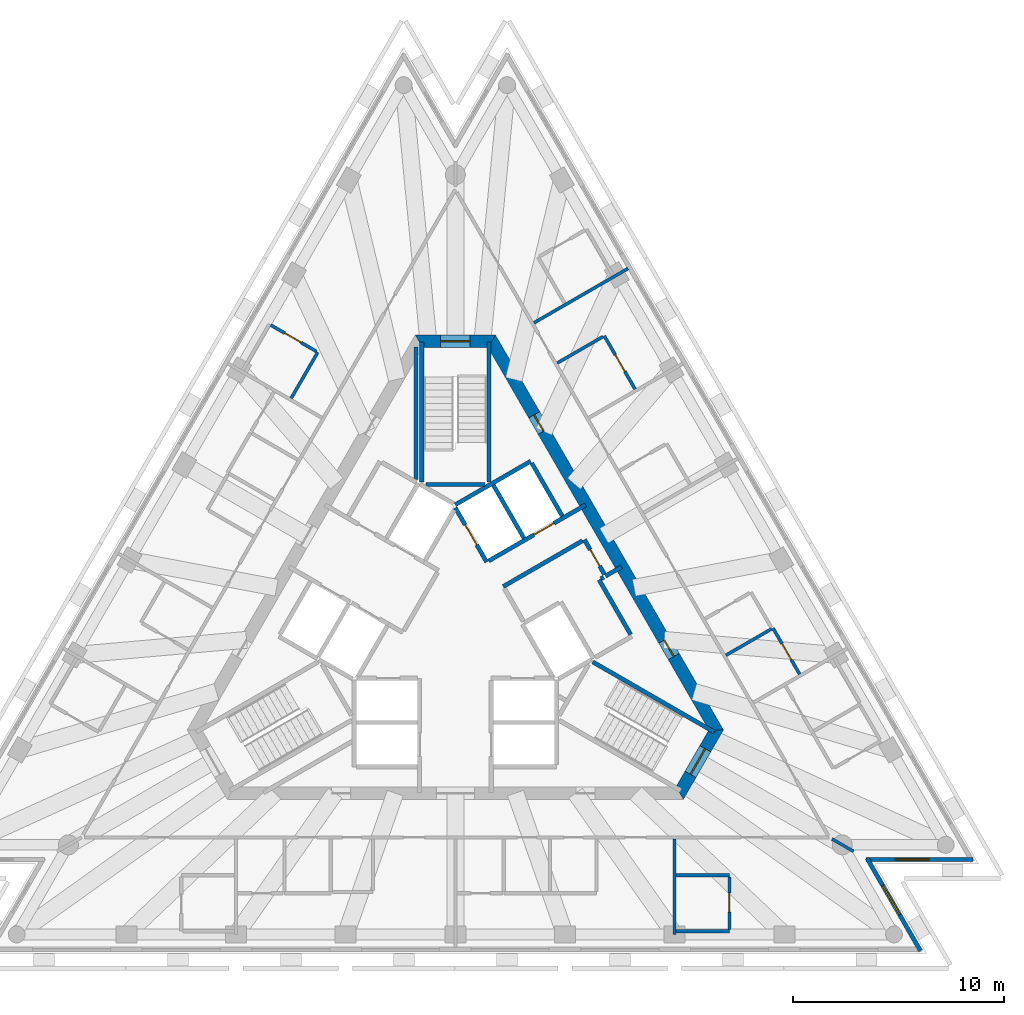
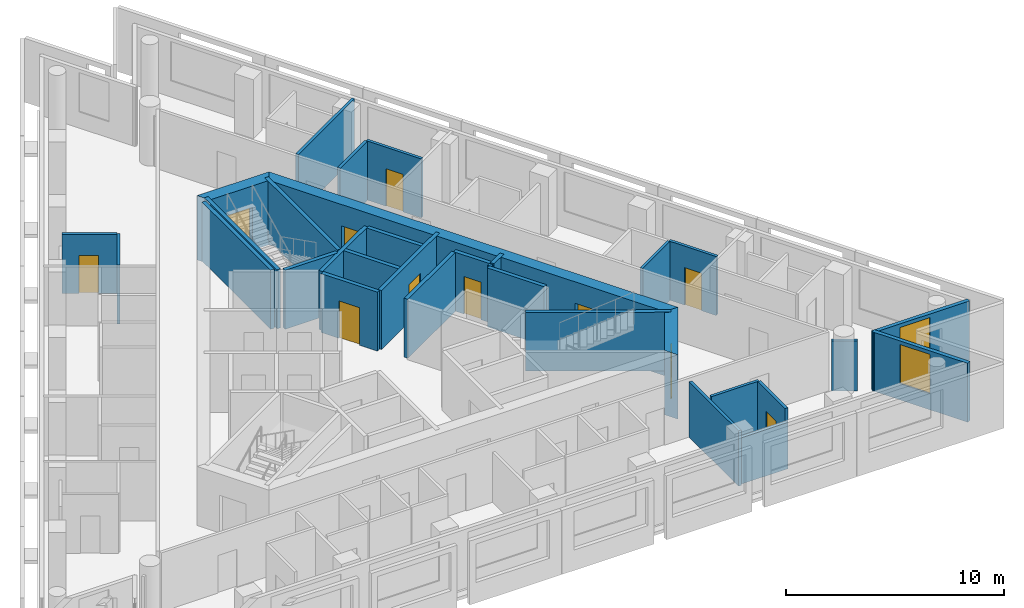
# One storey, part 6 of 10: 32 walls, 11 doors, 2 windows, 13 openings.
"""IFC4 building model written with IfcOpenShell, lengths in metres."""

from ifc_helpers import new_model, si_unit, direction, frame, frame_2d, origin, place, context, subcontext, project, spatial, polyline, rectangle, outline, extrude, material, layer, layer_set, layer_usage, type_object, element, fill, save


model = new_model("IFC4")

# Units and contexts
model_context = context("Model", 3, precision=1e-05, world=origin(), true_north=direction((0.0, 1.0)))
body_context = subcontext(model_context, "Body", "Model", "MODEL_VIEW")
ifc_project = project(units=[si_unit("LENGTHUNIT", "METRE"), si_unit("AREAUNIT", "SQUARE_METRE"), si_unit("VOLUMEUNIT", "CUBIC_METRE"), si_unit("PLANEANGLEUNIT", "RADIAN"), si_unit("MASSUNIT", "GRAM", prefix="KILO")], contexts=[model_context])

# Site, building, storey
site_placement = place(None, origin())
site = spatial("IfcSite", under=ifc_project, at=site_placement, CompositionType="ELEMENT")
building_placement = place(site_placement, origin())
building = spatial("IfcBuilding", under=site, at=building_placement, Name="Triada Interchange Tower", CompositionType="ELEMENT")
storey_placement = place(building_placement, frame((0.0, 0.0, 311.5)))
storey = spatial("IfcBuildingStorey", under=building, at=storey_placement, Name="L74", CompositionType="ELEMENT", Elevation=311.5)

# Wall
ifc_material_1 = material(Name="Concrete C30/37", Category="concrete")
ifc_layer_1 = layer(ifc_material_1, 0.199951171875)
ifc_layer_set_1 = layer_set([ifc_layer_1], Name="CORE WALL 200 EI 120")
wall_type_1 = type_object("IfcWallType", Name="CORE WALL 200 EI 120", PredefinedType="SOLIDWALL", material=ifc_layer_set_1)
wall_1_placement = place(storey_placement, frame((-0.001953125, 5.541015625, 0.0), z_axis=(0.0, 0.0, 1.0), x_axis=(0.86600155993, 0.500041296494, 0.0)))
element("IfcWall", 1, at=wall_1_placement, inside=storey, type_object=wall_type_1, Name="Wall L74 74", PredefinedType="SOLIDWALL", context=body_context, shape_type="SweptSolid", body=[
    extrude(rectangle(XDim=4.131591796875, YDim=0.199951171875, at=frame_2d((2.06591796875, 0.0))), origin(), (0.0, 0.0, 1.0), 3.300048828125),
])

# Wall, opening, door
wall_2_placement = place(storey_placement, frame((0.0, 5.39990234375, 0.0), z_axis=(0.0, 0.0, 1.0), x_axis=(0.500103862429, -0.865965430478, 0.0)))
wall_2 = element("IfcWall", 2, at=wall_2_placement, inside=storey, type_object=wall_type_1, Name="Wall L74 75", PredefinedType="SOLIDWALL", context=body_context, shape_type="SweptSolid", body=[
    extrude(rectangle(XDim=2.973388671875, YDim=0.199951171875, at=frame_2d((1.48681640625, 0.0))), origin(), (0.0, 0.0, 1.0), 3.300048828125),
])
opening_1_placement = place(wall_2_placement, frame((0.93701171875, 0.0, 0.0)))
opening_1 = element("IfcOpeningElement", 3, at=opening_1_placement, cuts=wall_2, Name="Opening LD-HR5", PredefinedType="OPENING", context=body_context, shape_type="SweptSolid", body=[
    extrude(rectangle(XDim=1.10009765625, YDim=2.10009765625, at=frame_2d((0.550048828125, 1.050048828125))), frame((0.0, 0.10986328125, 0.0), z_axis=(0.0, -1.0, 0.0), x_axis=(1.0, 0.0, 0.0)), (0.0, 0.0, 1.0), 0.219970703125),
])
ifc_material_2 = material(Name="Steel S235 door leaf", Category="steel")
door_type_1 = type_object("IfcDoorType", Name="LIFT LANDING DOOR 1100 EI 120", OperationType="SLIDING_TO_LEFT", PredefinedType="DOOR", material=ifc_material_2)
door_1_placement = place(opening_1_placement, origin())
door_1 = element("IfcDoor", 4, at=door_1_placement, inside=storey, type_object=door_type_1, Name="HR5 landing door L74", OperationType="SLIDING_TO_LEFT", OverallHeight=2.10009765625, OverallWidth=1.10009765625, PredefinedType="DOOR", context=body_context, shape_type="SweptSolid", body=[
    extrude(rectangle(XDim=1.10009765625, YDim=2.10009765625, at=frame_2d((0.550048828125, 1.050048828125))), frame((0.0, 0.02490234375, 0.0), z_axis=(0.0, -1.0, 0.0), x_axis=(1.0, 0.0, 0.0)), (0.0, 0.0, 1.0), 0.050048828125),
])
fill(opening_1, door_1)

wall_3_placement = place(storey_placement, frame((1.577880859375, 2.8740234375, 0.0), z_axis=(0.0, 0.0, 1.0), x_axis=(0.866045911672, 0.499964477614, 0.0)))
wall_3 = element("IfcWall", 5, at=wall_3_placement, inside=storey, type_object=wall_type_1, Name="Wall L74 77", PredefinedType="SOLIDWALL", context=body_context, shape_type="SweptSolid", body=[
    extrude(rectangle(XDim=5.32666015625, YDim=0.199951171875, at=frame_2d((2.663330078125, 0.0))), origin(), (0.0, 0.0, 1.0), 3.300048828125),
])
opening_2_placement = place(wall_3_placement, frame((2.49609375, 0.0, 0.0)))
opening_2 = element("IfcOpeningElement", 6, at=opening_2_placement, cuts=wall_3, Name="Opening LD-HR6", PredefinedType="OPENING", context=body_context, shape_type="SweptSolid", body=[
    extrude(rectangle(XDim=1.10009765625, YDim=2.10009765625, at=frame_2d((0.550048828125, 1.050048828125))), frame((0.0, 0.10986328125, 0.0), z_axis=(0.0, -1.0, 0.0), x_axis=(1.0, 0.0, 0.0)), (0.0, 0.0, 1.0), 0.219970703125),
])
door_2_placement = place(opening_2_placement, origin())
door_2 = element("IfcDoor", 7, at=door_2_placement, inside=storey, type_object=door_type_1, Name="HR6 landing door L74", OperationType="SLIDING_TO_LEFT", OverallHeight=2.10009765625, OverallWidth=1.10009765625, PredefinedType="DOOR", context=body_context, shape_type="SweptSolid", body=[
    extrude(rectangle(XDim=1.10009765625, YDim=2.10009765625, at=frame_2d((0.550048828125, 1.050048828125))), frame((0.0, 0.02490234375, 0.0), z_axis=(0.0, -1.0, 0.0), x_axis=(1.0, 0.0, 0.0)), (0.0, 0.0, 1.0), 0.050048828125),
])
fill(opening_2, door_2)

# Walls
for number, where, z_axis, x_axis, name in (
    (8, (3.6259765625, 7.52001953125, 0.0), (0.0, 0.0, 1.0), (0.500060147554, -0.865990674793, 0.0), "Wall L74 80"),
    (9, (1.806884765625, 6.469970703125, 0.0), (0.0, 0.0, 1.0), (0.50012328804, -0.865954211699, 0.0), "Wall L74 81"),
):
    element("IfcWall", number, at=place(storey_placement, frame(where, z_axis=z_axis, x_axis=x_axis)), inside=storey, type_object=wall_type_1, Name=name, PredefinedType="SOLIDWALL", context=body_context, shape_type="SweptSolid", body=[
        extrude(rectangle(XDim=2.899658203125, YDim=0.199951171875, at=frame_2d((1.44970703125, 0.0))), origin(), (0.0, 0.0, 1.0), 3.300048828125),
    ])
wall_4_placement = place(storey_placement, frame((7.12890625, 2.153076171875, 0.0), z_axis=(0.0, 0.0, 1.0), x_axis=(0.866083962871, 0.499898558967, 0.0)))
element("IfcWall", 10, at=wall_4_placement, inside=storey, type_object=wall_type_1, Name="Wall L74 84", PredefinedType="SOLIDWALL", context=body_context, shape_type="SweptSolid", body=[
    extrude(rectangle(XDim=0.880126953125, YDim=0.199951171875, at=frame_2d((0.43994140625, 0.0))), origin(), (0.0, 0.0, 1.0), 3.300048828125),
])

# Wall, opening, door
wall_5_placement = place(storey_placement, frame((6.12890625, 3.885009765625, 0.0), z_axis=(0.0, 0.0, 1.0), x_axis=(0.499952260202, -0.866052964615, 0.0)))
wall_5 = element("IfcWall", 11, at=wall_5_placement, inside=storey, type_object=wall_type_1, Name="Wall L74 85", PredefinedType="SOLIDWALL", context=body_context, shape_type="SweptSolid", body=[
    extrude(rectangle(XDim=1.900634765625, YDim=0.199951171875, at=frame_2d((0.9501953125, 0.0))), origin(), (0.0, 0.0, 1.0), 3.300048828125),
])
opening_3_placement = place(wall_5_placement, frame((0.550048828125, 0.0, 0.0)))
opening_3 = element("IfcOpeningElement", 12, at=opening_3_placement, cuts=wall_5, Name="Opening D74-56", PredefinedType="OPENING", context=body_context, shape_type="SweptSolid", body=[
    extrude(rectangle(XDim=0.89990234375, YDim=2.10009765625, at=frame_2d((0.449951171875, 1.050048828125))), frame((0.0, 0.10986328125, 0.0), z_axis=(0.0, -1.0, 0.0), x_axis=(1.0, 0.0, 0.0)), (0.0, 0.0, 1.0), 0.219970703125),
])
door_type_2 = type_object("IfcDoorType", Name="SERVICE DOOR 900 EI2 45-C5S200", OperationType="NOTDEFINED", PredefinedType="DOOR", material=ifc_material_2)
door_3_placement = place(opening_3_placement, origin())
door_3 = element("IfcDoor", 13, at=door_3_placement, inside=storey, type_object=door_type_2, Name="Door D74-56 L74", OperationType="SINGLE_SWING_LEFT", OverallHeight=2.10009765625, OverallWidth=0.89990234375, PredefinedType="DOOR", context=body_context, shape_type="SweptSolid", body=[
    extrude(rectangle(XDim=0.89990234375, YDim=2.10009765625, at=frame_2d((0.449951171875, 1.050048828125))), frame((0.0, 0.02490234375, 0.0), z_axis=(0.0, -1.0, 0.0), x_axis=(1.0, 0.0, 0.0)), (0.0, 0.0, 1.0), 0.050048828125),
])
fill(opening_3, door_3)

# Walls
wall_6_placement = place(storey_placement, frame((2.27490234375, 1.659912109375, 0.0), z_axis=(0.0, 0.0, 1.0), x_axis=(0.866013608182, 0.500020430026, 0.0)))
element("IfcWall", 14, at=wall_6_placement, inside=storey, type_object=wall_type_1, Name="Wall L74 86", PredefinedType="SOLIDWALL", context=body_context, shape_type="SweptSolid", body=[
    extrude(rectangle(XDim=4.349853515625, YDim=0.199951171875, at=frame_2d((2.1748046875, 0.0))), origin(), (0.0, 0.0, 1.0), 3.300048828125),
])
ifc_layer_2 = layer(ifc_material_1, 0.199951171875)
ifc_layer_set_2 = layer_set([ifc_layer_2], Name="CORE WALL 200 EI 90")
wall_type_2 = type_object("IfcWallType", Name="CORE WALL 200 EI 90", PredefinedType="SOLIDWALL", material=ifc_layer_set_2)
wall_7_placement = place(storey_placement, frame((-1.862060546875, 6.73291015625, 0.0), z_axis=(0.0, 0.0, 1.0), x_axis=(0.0, 1.0, 0.0)))
element("IfcWall", 15, at=wall_7_placement, inside=storey, type_object=wall_type_2, Name="Wall L74 105", PredefinedType="SOLIDWALL", context=body_context, shape_type="SweptSolid", body=[
    extrude(rectangle(XDim=6.301025390625, YDim=0.199951171875, at=frame_2d((3.150390625, 0.0))), origin(), (0.0, 0.0, 1.0), 3.300048828125),
])
wall_8_placement = place(storey_placement, frame((6.825927734375, 1.97802734375, 0.0), z_axis=(0.0, 0.0, 1.0), x_axis=(0.499990139034, -0.866031096941, 0.0)))
element("IfcWall", 16, at=wall_8_placement, inside=storey, type_object=wall_type_2, Name="Wall L74 108", PredefinedType="SOLIDWALL", context=body_context, shape_type="SweptSolid", body=[
    extrude(rectangle(XDim=3.0, YDim=0.199951171875, at=frame_2d((1.5, 0.0))), origin(), (0.0, 0.0, 1.0), 3.300048828125),
])
wall_9_placement = place(storey_placement, frame((6.912109375, 2.028076171875, 0.0), z_axis=(0.0, 0.0, 1.0), x_axis=(0.866559367082, 0.499074005857, 0.0)))
element("IfcWall", 17, at=wall_9_placement, inside=storey, type_object=wall_type_2, Name="Wall L74 109", PredefinedType="SOLIDWALL", context=body_context, shape_type="SweptSolid", body=[
    extrude(rectangle(XDim=0.152099609375, YDim=0.199951171875, at=frame_2d((0.076171875, 0.0))), origin(), (0.0, 0.0, 1.0), 3.300048828125),
])
ifc_layer_3 = layer(ifc_material_1, 0.199951171875)
ifc_layer_set_3 = layer_set([ifc_layer_3], Name="CORE WALL 200 REI 240")
wall_type_3 = type_object("IfcWallType", Name="CORE WALL 200 REI 240", PredefinedType="SOLIDWALL", material=ifc_layer_set_3)
wall_10_placement = place(storey_placement, frame((1.60009765625, 6.614990234375, 0.0), z_axis=(0.0, 0.0, 1.0), x_axis=(0.0, 1.0, 0.0)))
element("IfcWall", 18, at=wall_10_placement, inside=storey, type_object=wall_type_3, Name="Wall L74 113", PredefinedType="SOLIDWALL", context=body_context, shape_type="SweptSolid", body=[
    extrude(rectangle(XDim=6.6650390625, YDim=0.199951171875, at=frame_2d((3.33251953125, 0.0))), origin(), (0.0, 0.0, 1.0), 3.300048828125),
])
wall_11_placement = place(storey_placement, frame((-1.39990234375, 6.5, 0.0), z_axis=(0.0, 0.0, 1.0), x_axis=(1.0, 0.0, 0.0)))
element("IfcWall", 19, at=wall_11_placement, inside=storey, type_object=wall_type_3, Name="Wall L74 114", PredefinedType="SOLIDWALL", context=body_context, shape_type="SweptSolid", body=[
    extrude(rectangle(XDim=2.7998046875, YDim=0.199951171875, at=frame_2d((1.39990234375, 0.0))), origin(), (0.0, 0.0, 1.0), 3.300048828125),
])
wall_12_placement = place(storey_placement, frame((-1.60009765625, 6.614990234375, 0.0), z_axis=(0.0, 0.0, 1.0), x_axis=(0.0, 1.0, 0.0)))
element("IfcWall", 20, at=wall_12_placement, inside=storey, type_object=wall_type_3, Name="Wall L74 115", PredefinedType="SOLIDWALL", context=body_context, shape_type="SweptSolid", body=[
    extrude(rectangle(XDim=6.6650390625, YDim=0.199951171875, at=frame_2d((3.33251953125, 0.0))), origin(), (0.0, 0.0, 1.0), 3.300048828125),
])
wall_13_placement = place(storey_placement, frame((6.529052734375, -1.922119140625, 0.0), z_axis=(0.0, 0.0, 1.0), x_axis=(0.866068467981, -0.499925403204, 0.0)))
element("IfcWall", 21, at=wall_13_placement, inside=storey, type_object=wall_type_3, Name="Wall L74 117", PredefinedType="SOLIDWALL", context=body_context, shape_type="SweptSolid", body=[
    extrude(rectangle(XDim=6.66455078125, YDim=0.199951171875, at=frame_2d((3.332275390625, 0.0))), origin(), (0.0, 0.0, 1.0), 3.300048828125),
])

# Wall, opening, door
ifc_material_3 = material(Name="Concrete C40/50", Category="concrete")
ifc_layer_4 = layer(ifc_material_3, 0.60009765625)
ifc_layer_set_4 = layer_set([ifc_layer_4], Name="Core wall D 600")
wall_type_4 = type_object("IfcWallType", Name="Core wall D 600", PredefinedType="SHEAR", material=ifc_layer_set_4)
wall_14_placement = place(storey_placement, frame((1.73193359375, 13.300048828125, -0.300048828125), z_axis=(0.0, 0.0, 1.0), x_axis=(-1.0, 0.0, 0.0)))
wall_14 = element("IfcWall", 22, at=wall_14_placement, inside=storey, type_object=wall_type_4, Name="Core wall WD01 L74", PredefinedType="SHEAR", context=body_context, shape_type="SweptSolid", body=[
    extrude(outline(polyline([(-0.173095703125, -0.300048828125), (1.73193359375, -0.300048828125), (3.636962890625, -0.300048828125), (3.291015625, 0.300048828125), (1.73193359375, 0.300048828125), (0.173095703125, 0.300048828125), (-0.173095703125, -0.300048828125)])), origin(), (0.0, 0.0, 1.0), 3.60009765625),
])
opening_4_placement = place(wall_14_placement, frame((1.031982421875, 0.0, 0.300048828125)))
opening_4 = element("IfcOpeningElement", 23, at=opening_4_placement, cuts=wall_14, Name="Opening D74-46", PredefinedType="OPENING", context=body_context, shape_type="SweptSolid", body=[
    extrude(rectangle(XDim=1.39990234375, YDim=2.10009765625, at=frame_2d((0.699951171875, 1.050048828125))), frame((0.0, 0.31005859375, 0.0), z_axis=(0.0, -1.0, 0.0), x_axis=(1.0, 0.0, 0.0)), (0.0, 0.0, 1.0), 0.6201171875),
])
door_type_3 = type_object("IfcDoorType", Name="STAIR DOOR 1400 EI2 90-C5S200", OperationType="DOUBLE_DOOR_SINGLE_SWING", PredefinedType="DOOR", material=ifc_material_2)
door_4_placement = place(opening_4_placement, origin())
door_4 = element("IfcDoor", 24, at=door_4_placement, inside=storey, type_object=door_type_3, Name="Door D74-46 L74", OperationType="DOUBLE_DOOR_SINGLE_SWING", OverallHeight=2.10009765625, OverallWidth=1.39990234375, PredefinedType="DOOR", context=body_context, shape_type="SweptSolid", body=[
    extrude(rectangle(XDim=1.39990234375, YDim=2.10009765625, at=frame_2d((0.699951171875, 1.050048828125))), frame((0.0, 0.02490234375, 0.0), z_axis=(0.0, -1.0, 0.0), x_axis=(1.0, 0.0, 0.0)), (0.0, 0.0, 1.0), 0.050048828125),
])
fill(opening_4, door_4)

wall_15_placement = place(storey_placement, frame((10.652099609375, -8.14990234375, -0.300048828125), z_axis=(0.0, 0.0, 1.0), x_axis=(0.49997462182, 0.866040055388, 0.0)))
wall_15 = element("IfcWall", 25, at=wall_15_placement, inside=storey, type_object=wall_type_4, Name="Core wall WD05 L74", PredefinedType="SHEAR", context=body_context, shape_type="SweptSolid", body=[
    extrude(outline(polyline([(-0.173095703125, -0.300048828125), (1.732421875, -0.300537109375), (3.637939453125, -0.301025390625), (3.291015625, 0.300048828125), (1.73193359375, 0.300048828125), (0.173095703125, 0.300048828125), (-0.173095703125, -0.300048828125)])), origin(), (0.0, 0.0, 1.0), 3.60009765625),
])
opening_5_placement = place(wall_15_placement, frame((1.031982421875, 0.0, 0.300048828125)))
opening_5 = element("IfcOpeningElement", 26, at=opening_5_placement, cuts=wall_15, Name="Opening D74-48", PredefinedType="OPENING", context=body_context, shape_type="SweptSolid", body=[
    extrude(rectangle(XDim=1.39990234375, YDim=2.10009765625, at=frame_2d((0.699951171875, 1.050048828125))), frame((0.0, 0.31005859375, 0.0), z_axis=(0.0, -1.0, 0.0), x_axis=(1.0, 0.0, 0.0)), (0.0, 0.0, 1.0), 0.62109375),
])
door_5_placement = place(opening_5_placement, origin())
door_5 = element("IfcDoor", 27, at=door_5_placement, inside=storey, type_object=door_type_3, Name="Door D74-48 L74", OperationType="DOUBLE_DOOR_SINGLE_SWING", OverallHeight=2.10009765625, OverallWidth=1.39990234375, PredefinedType="DOOR", context=body_context, shape_type="SweptSolid", body=[
    extrude(rectangle(XDim=1.39990234375, YDim=2.10009765625, at=frame_2d((0.699951171875, 1.050048828125))), frame((0.0, 0.02490234375, 0.0), z_axis=(0.0, -1.0, 0.0), x_axis=(1.0, 0.0, 0.0)), (0.0, 0.0, 1.0), 0.050048828125),
])
fill(opening_5, door_5)

# Wall, openings, doors
wall_16_placement = place(storey_placement, frame((12.384033203125, -5.14990234375, -0.300048828125), z_axis=(0.0, 0.0, 1.0), x_axis=(-0.500000539815, 0.866025092122, 0.0)))
wall_16 = element("IfcWall", 28, at=wall_16_placement, inside=storey, type_object=wall_type_4, Name="Core wall WD06 L74", PredefinedType="SHEAR", context=body_context, shape_type="SweptSolid", body=[
    extrude(outline(polyline([(-0.173095703125, -0.301025390625), (1.795166015625, -0.301025390625), (3.76318359375, -0.30078125), (5.7314453125, -0.30078125), (7.69970703125, -0.30078125), (9.66796875, -0.300537109375), (11.635986328125, -0.300537109375), (13.604248046875, -0.30029296875), (15.572509765625, -0.30029296875), (17.540771484375, -0.30029296875), (19.5087890625, -0.300048828125), (21.47705078125, -0.300048828125), (21.131103515625, 0.300048828125), (19.225830078125, 0.300048828125), (17.320556640625, 0.300048828125), (15.415283203125, 0.300048828125), (13.510009765625, 0.300048828125), (11.604736328125, 0.300048828125), (9.699462890625, 0.300048828125), (7.794189453125, 0.300048828125), (5.888916015625, 0.300048828125), (3.983642578125, 0.300048828125), (2.078369140625, 0.300048828125), (0.173095703125, 0.300048828125), (-0.173095703125, -0.301025390625)])), origin(), (0.0, 0.0, 1.0), 3.60009765625),
])
opening_6_placement = place(wall_16_placement, frame((16.3779296875, 0.0, 0.300048828125)))
opening_6 = element("IfcOpeningElement", 29, at=opening_6_placement, cuts=wall_16, Name="Opening D74-53", PredefinedType="OPENING", context=body_context, shape_type="SweptSolid", body=[
    extrude(rectangle(XDim=0.89990234375, YDim=2.10009765625, at=frame_2d((0.449951171875, 1.050048828125))), frame((0.0, 0.31005859375, 0.0), z_axis=(0.0, -1.0, 0.0), x_axis=(1.0, 0.0, 0.0)), (0.0, 0.0, 1.0), 0.62109375),
])
opening_7_placement = place(wall_16_placement, frame((4.02587890625, 0.0, 0.300048828125)))
opening_7 = element("IfcOpeningElement", 30, at=opening_7_placement, cuts=wall_16, Name="Opening D74-55", PredefinedType="OPENING", context=body_context, shape_type="SweptSolid", body=[
    extrude(rectangle(XDim=0.89990234375, YDim=2.10009765625, at=frame_2d((0.449951171875, 1.050048828125))), frame((0.0, 0.31005859375, 0.0), z_axis=(0.0, -1.0, 0.0), x_axis=(1.0, 0.0, 0.0)), (0.0, 0.0, 1.0), 0.62109375),
])
door_6_placement = place(opening_6_placement, origin())
door_6 = element("IfcDoor", 31, at=door_6_placement, inside=storey, type_object=door_type_2, Name="Door D74-53 L74", OperationType="SINGLE_SWING_RIGHT", OverallHeight=2.10009765625, OverallWidth=0.89990234375, PredefinedType="DOOR", context=body_context, shape_type="SweptSolid", body=[
    extrude(rectangle(XDim=0.89990234375, YDim=2.10009765625, at=frame_2d((0.449951171875, 1.050048828125))), frame((0.0, 0.02490234375, 0.0), z_axis=(0.0, -1.0, 0.0), x_axis=(1.0, 0.0, 0.0)), (0.0, 0.0, 1.0), 0.050048828125),
])
fill(opening_6, door_6)
door_7_placement = place(opening_7_placement, origin())
door_7 = element("IfcDoor", 32, at=door_7_placement, inside=storey, type_object=door_type_2, Name="Door D74-55 L74", OperationType="SINGLE_SWING_RIGHT", OverallHeight=2.10009765625, OverallWidth=0.89990234375, PredefinedType="DOOR", context=body_context, shape_type="SweptSolid", body=[
    extrude(rectangle(XDim=0.89990234375, YDim=2.10009765625, at=frame_2d((0.449951171875, 1.050048828125))), frame((0.0, 0.02490234375, 0.0), z_axis=(0.0, -1.0, 0.0), x_axis=(1.0, 0.0, 0.0)), (0.0, 0.0, 1.0), 0.050048828125),
])
fill(opening_7, door_7)

# Wall, opening, window
ifc_material_4 = material(Name="Cement board")
ifc_layer_5 = layer(ifc_material_4, 0.02001953125, Name="Cement board cladding")
ifc_material_5 = material(Name="Sheathing board")
ifc_layer_6 = layer(ifc_material_5, 0.014892578125, Name="Sheathing board")
ifc_material_6 = material(Name="Mineral wool")
ifc_layer_7 = layer(ifc_material_6, 0.14990234375, Name="Mineral wool between steel studs")
ifc_material_7 = material(Name="Gypsum board")
ifc_layer_8 = layer(ifc_material_7, 0.014892578125, Name="Plasterboard lining")
ifc_layer_set_5 = layer_set([ifc_layer_5, ifc_layer_6, ifc_layer_7, ifc_layer_8], Name="External wall 200")
ifc_layer_usage = layer_usage(ifc_layer_set_5, "AXIS2", "POSITIVE", -0.10009765625)
wall_type_5 = type_object("IfcWallType", Name="External wall 200", PredefinedType="ELEMENTEDWALL", material=ifc_layer_set_5)
wall_17_placement = place(storey_placement, frame((22.0869140625, -15.64111328125, 0.0), z_axis=(0.0, 0.0, 1.0), x_axis=(-0.499911250765, 0.866076637116, 0.0)))
wall_17 = element("IfcWall", 33, at=wall_17_placement, inside=storey, type_object=wall_type_5, material=ifc_layer_usage, Name="External wall L74 SE-1", PredefinedType="ELEMENTEDWALL", context=body_context, shape_type="SweptSolid", body=[
    extrude(rectangle(XDim=5.07470703125, YDim=0.199951171875, at=frame_2d((2.537353515625, 0.0))), origin(), (0.0, 0.0, 1.0), 3.300048828125),
])
opening_8_placement = place(wall_17_placement, frame((1.989990234375, 0.0, 0.89990234375)))
opening_8 = element("IfcOpeningElement", 34, at=opening_8_placement, cuts=wall_17, Name="Opening WD19", PredefinedType="OPENING", context=body_context, shape_type="SweptSolid", body=[
    extrude(rectangle(XDim=1.60009765625, YDim=2.199951171875, at=frame_2d((0.800048828125, 1.10009765625))), frame((0.0, 0.10986328125, 0.0), z_axis=(0.0, -1.0, 0.0), x_axis=(1.0, 0.0, 0.0)), (0.0, 0.0, 1.0), 0.219970703125),
])
ifc_material_8 = material(Name="Double glazed aluminium window", Category="aluminium")
window_type = type_object("IfcWindowType", Name="Ribbon window D pocket", PartitioningType="SINGLE_PANEL", PredefinedType="WINDOW", material=ifc_material_8)
window_1_placement = place(opening_8_placement, origin())
window_1 = element("IfcWindow", 35, at=window_1_placement, inside=storey, type_object=window_type, Name="Window L74 SE-1 1", OverallHeight=2.199951171875, OverallWidth=1.60009765625, PartitioningType="SINGLE_PANEL", PredefinedType="WINDOW", context=body_context, shape_type="SweptSolid", body=[
    extrude(rectangle(XDim=1.60009765625, YDim=2.199951171875, at=frame_2d((0.800048828125, 1.10009765625))), frame((0.0, 0.030029296875, 0.0), z_axis=(0.0, -1.0, 0.0), x_axis=(1.0, 0.0, 0.0)), (0.0, 0.0, 1.0), 0.06005859375),
])
fill(opening_8, window_1)

wall_18_placement = place(storey_placement, frame((19.4951171875, -11.306884765625, 0.0), z_axis=(0.0, 0.0, 1.0), x_axis=(1.0, 0.0, 0.0)))
wall_18 = element("IfcWall", 36, at=wall_18_placement, inside=storey, type_object=wall_type_5, material=ifc_layer_usage, Name="External wall L74 SE-2", PredefinedType="ELEMENTEDWALL", context=body_context, shape_type="SweptSolid", body=[
    extrude(rectangle(XDim=5.073974609375, YDim=0.199951171875, at=frame_2d((2.537109375, 0.0))), origin(), (0.0, 0.0, 1.0), 3.300048828125),
])
opening_9_placement = place(wall_18_placement, frame((1.389892578125, 0.0, 0.89990234375)))
opening_9 = element("IfcOpeningElement", 37, at=opening_9_placement, cuts=wall_18, Name="Opening WD20", PredefinedType="OPENING", context=body_context, shape_type="SweptSolid", body=[
    extrude(rectangle(XDim=1.60009765625, YDim=2.199951171875, at=frame_2d((0.800048828125, 1.10009765625))), frame((0.0, 0.10986328125, 0.0), z_axis=(0.0, -1.0, 0.0), x_axis=(1.0, 0.0, 0.0)), (0.0, 0.0, 1.0), 0.219970703125),
])
window_2_placement = place(opening_9_placement, origin())
window_2 = element("IfcWindow", 38, at=window_2_placement, inside=storey, type_object=window_type, Name="Window L74 SE-2 1", OverallHeight=2.199951171875, OverallWidth=1.60009765625, PartitioningType="SINGLE_PANEL", PredefinedType="WINDOW", context=body_context, shape_type="SweptSolid", body=[
    extrude(rectangle(XDim=1.60009765625, YDim=2.199951171875, at=frame_2d((0.800048828125, 1.10009765625))), frame((0.0, 0.030029296875, 0.0), z_axis=(0.0, -1.0, 0.0), x_axis=(1.0, 0.0, 0.0)), (0.0, 0.0, 1.0), 0.06005859375),
])
fill(opening_9, window_2)

# Walls
ifc_material_9 = material(Name="Gypsum board partition")
ifc_layer_9 = layer(ifc_material_9, 0.14990234375)
ifc_layer_set_6 = layer_set([ifc_layer_9], Name="PARTITION 150 EI 180")
wall_type_6 = type_object("IfcWallType", Name="PARTITION 150 EI 180", PredefinedType="PARTITIONING", material=ifc_layer_set_6)
wall_19_placement = place(storey_placement, frame((3.73388671875, 14.181884765625, 0.0), z_axis=(0.0, 0.0, 1.0), x_axis=(0.866020851292, 0.500007885066, 0.0)))
element("IfcWall", 39, at=wall_19_placement, inside=storey, type_object=wall_type_6, Name="Wall L74 24", PredefinedType="PARTITIONING", context=body_context, shape_type="SweptSolid", body=[
    extrude(rectangle(XDim=5.158203125, YDim=0.14990234375, at=frame_2d((2.5791015625, 0.0))), origin(), (0.0, 0.0, 1.0), 3.300048828125),
])
wall_20_placement = place(storey_placement, frame((10.4140625, -14.85791015625, 0.0), z_axis=(0.0, 0.0, 1.0), x_axis=(0.0, 1.0, 0.0)))
element("IfcWall", 40, at=wall_20_placement, inside=storey, type_object=wall_type_6, Name="Wall L74 28", PredefinedType="PARTITIONING", context=body_context, shape_type="SweptSolid", body=[
    extrude(rectangle(XDim=4.532958984375, YDim=0.14990234375, at=frame_2d((2.2666015625, 0.0))), origin(), (0.0, 0.0, 1.0), 3.10009765625),
])
wall_21_placement = place(storey_placement, frame((17.883056640625, -10.323974609375, 0.0), z_axis=(0.0, 0.0, 1.0), x_axis=(0.865759938798, -0.500459517216, 0.0)))
element("IfcWall", 41, at=wall_21_placement, inside=storey, type_object=wall_type_6, Name="Wall L74 30", PredefinedType="PARTITIONING", context=body_context, shape_type="SweptSolid", body=[
    extrude(rectangle(XDim=1.18505859375, YDim=0.14990234375, at=frame_2d((0.592529296875, 0.0))), origin(), (0.0, 0.0, 1.0), 2.800048828125),
])
ifc_layer_10 = layer(ifc_material_9, 0.14990234375)
ifc_layer_set_7 = layer_set([ifc_layer_10], Name="PARTITION 150 EI 90")
wall_type_7 = type_object("IfcWallType", Name="PARTITION 150 EI 90", PredefinedType="PARTITIONING", material=ifc_layer_set_7)
wall_22_placement = place(storey_placement, frame((-7.794921875, 10.60009765625, 0.0), z_axis=(0.0, 0.0, 1.0), x_axis=(0.50028887667, 0.865858556509, 0.0)))
element("IfcWall", 42, at=wall_22_placement, inside=storey, type_object=wall_type_7, Name="Wall L74 35", PredefinedType="PARTITIONING", context=body_context, shape_type="SweptSolid", body=[
    extrude(rectangle(XDim=2.5244140625, YDim=0.14990234375, at=frame_2d((1.26220703125, 0.0))), origin(), (0.0, 0.0, 1.0), 3.300048828125),
])
wall_23_placement = place(storey_placement, frame((10.489013671875, -12.050048828125, 0.0), z_axis=(0.0, 0.0, 1.0), x_axis=(1.0, 0.0, 0.0)))
element("IfcWall", 43, at=wall_23_placement, inside=storey, type_object=wall_type_7, Name="Wall L74 40", PredefinedType="PARTITIONING", context=body_context, shape_type="SweptSolid", body=[
    extrude(rectangle(XDim=2.52490234375, YDim=0.14990234375, at=frame_2d((1.262451171875, 0.0))), origin(), (0.0, 0.0, 1.0), 3.300048828125),
])
wall_24_placement = place(storey_placement, frame((10.489013671875, -14.7060546875, 0.0), z_axis=(0.0, 0.0, 1.0), x_axis=(1.0, 0.0, 0.0)))
element("IfcWall", 44, at=wall_24_placement, inside=storey, type_object=wall_type_7, Name="Wall L74 43", PredefinedType="PARTITIONING", context=body_context, shape_type="SweptSolid", body=[
    extrude(rectangle(XDim=2.52490234375, YDim=0.14990234375, at=frame_2d((1.262451171875, 0.0))), origin(), (0.0, 0.0, 1.0), 2.60009765625),
])

# Wall, opening, door
wall_25_placement = place(storey_placement, frame((-8.76806640625, 14.076904296875, 0.0), z_axis=(0.0, 0.0, 1.0), x_axis=(0.866125586781, -0.4998264378, 0.0)))
wall_25 = element("IfcWall", 45, at=wall_25_placement, inside=storey, type_object=wall_type_7, Name="Wall L74 46", PredefinedType="PARTITIONING", context=body_context, shape_type="SweptSolid", body=[
    extrude(rectangle(XDim=2.5068359375, YDim=0.14990234375, at=frame_2d((1.25341796875, 0.0))), origin(), (0.0, 0.0, 1.0), 3.300048828125),
])
opening_10_placement = place(wall_25_placement, frame((0.77490234375, 0.0, 0.0)))
opening_10 = element("IfcOpeningElement", 46, at=opening_10_placement, cuts=wall_25, Name="Opening D74-36", PredefinedType="OPENING", context=body_context, shape_type="SweptSolid", body=[
    extrude(rectangle(XDim=0.89990234375, YDim=2.10009765625, at=frame_2d((0.449951171875, 1.050048828125))), frame((0.0, 0.0849609375, 0.0), z_axis=(0.0, -1.0, 0.0), x_axis=(1.0, 0.0, 0.0)), (0.0, 0.0, 1.0), 0.169921875),
])
door_type_4 = type_object("IfcDoorType", Name="ROOM DOOR 900 EI2 45-C5S200", OperationType="NOTDEFINED", PredefinedType="DOOR", material=ifc_material_2)
door_8_placement = place(opening_10_placement, origin())
door_8 = element("IfcDoor", 47, at=door_8_placement, inside=storey, type_object=door_type_4, Name="Door D74-36 L74", OperationType="SINGLE_SWING_RIGHT", OverallHeight=2.10009765625, OverallWidth=0.89990234375, PredefinedType="DOOR", context=body_context, shape_type="SweptSolid", body=[
    extrude(rectangle(XDim=0.89990234375, YDim=2.10009765625, at=frame_2d((0.449951171875, 1.050048828125))), frame((0.0, 0.02490234375, 0.0), z_axis=(0.0, -1.0, 0.0), x_axis=(1.0, 0.0, 0.0)), (0.0, 0.0, 1.0), 0.050048828125),
])
fill(opening_10, door_8)

wall_26_placement = place(storey_placement, frame((7.073974609375, 13.56103515625, 0.0), z_axis=(0.0, 0.0, 1.0), x_axis=(0.499874209568, -0.866098016745, 0.0)))
wall_26 = element("IfcWall", 48, at=wall_26_placement, inside=storey, type_object=wall_type_7, Name="Wall L74 47", PredefinedType="PARTITIONING", context=body_context, shape_type="SweptSolid", body=[
    extrude(rectangle(XDim=2.924560546875, YDim=0.14990234375, at=frame_2d((1.46240234375, 0.0))), origin(), (0.0, 0.0, 1.0), 3.300048828125),
])
opening_11_placement = place(wall_26_placement, frame((1.050048828125, 0.0, 0.0)))
opening_11 = element("IfcOpeningElement", 49, at=opening_11_placement, cuts=wall_26, Name="Opening D74-32", PredefinedType="OPENING", context=body_context, shape_type="SweptSolid", body=[
    extrude(rectangle(XDim=0.89990234375, YDim=2.10009765625, at=frame_2d((0.449951171875, 1.050048828125))), frame((0.0, 0.0849609375, 0.0), z_axis=(0.0, -1.0, 0.0), x_axis=(1.0, 0.0, 0.0)), (0.0, 0.0, 1.0), 0.169921875),
])
door_9_placement = place(opening_11_placement, origin())
door_9 = element("IfcDoor", 50, at=door_9_placement, inside=storey, type_object=door_type_4, Name="Door D74-32 L74", OperationType="SINGLE_SWING_LEFT", OverallHeight=2.10009765625, OverallWidth=0.89990234375, PredefinedType="DOOR", context=body_context, shape_type="SweptSolid", body=[
    extrude(rectangle(XDim=0.89990234375, YDim=2.10009765625, at=frame_2d((0.449951171875, 1.050048828125))), frame((0.0, 0.02490234375, 0.0), z_axis=(0.0, -1.0, 0.0), x_axis=(1.0, 0.0, 0.0)), (0.0, 0.0, 1.0), 0.050048828125),
])
fill(opening_11, door_9)

wall_27_placement = place(storey_placement, frame((15.0849609375, -0.31494140625, 0.0), z_axis=(0.0, 0.0, 1.0), x_axis=(0.499956887143, -0.866050293573, 0.0)))
wall_27 = element("IfcWall", 51, at=wall_27_placement, inside=storey, type_object=wall_type_7, Name="Wall L74 49", PredefinedType="PARTITIONING", context=body_context, shape_type="SweptSolid", body=[
    extrude(rectangle(XDim=2.524169921875, YDim=0.14990234375, at=frame_2d((1.26220703125, 0.0))), origin(), (0.0, 0.0, 1.0), 3.300048828125),
])
opening_12_placement = place(wall_27_placement, frame((0.84912109375, 0.0, 0.0)))
opening_12 = element("IfcOpeningElement", 52, at=opening_12_placement, cuts=wall_27, Name="Opening D74-27", PredefinedType="OPENING", context=body_context, shape_type="SweptSolid", body=[
    extrude(rectangle(XDim=0.89990234375, YDim=2.10009765625, at=frame_2d((0.449951171875, 1.050048828125))), frame((0.0, 0.0849609375, 0.0), z_axis=(0.0, -1.0, 0.0), x_axis=(1.0, 0.0, 0.0)), (0.0, 0.0, 1.0), 0.169921875),
])
door_10_placement = place(opening_12_placement, origin())
door_10 = element("IfcDoor", 53, at=door_10_placement, inside=storey, type_object=door_type_4, Name="Door D74-27 L74", OperationType="SINGLE_SWING_LEFT", OverallHeight=2.10009765625, OverallWidth=0.89990234375, PredefinedType="DOOR", context=body_context, shape_type="SweptSolid", body=[
    extrude(rectangle(XDim=0.89990234375, YDim=2.10009765625, at=frame_2d((0.449951171875, 1.050048828125))), frame((0.0, 0.02490234375, 0.0), z_axis=(0.0, -1.0, 0.0), x_axis=(1.0, 0.0, 0.0)), (0.0, 0.0, 1.0), 0.050048828125),
])
fill(opening_12, door_10)

# Wall
wall_28_placement = place(storey_placement, frame((4.837890625, 12.27001953125, 0.0), z_axis=(0.0, 0.0, 1.0), x_axis=(0.866125586781, 0.4998264378, 0.0)))
element("IfcWall", 54, at=wall_28_placement, inside=storey, type_object=wall_type_7, Name="Wall L74 50", PredefinedType="PARTITIONING", context=body_context, shape_type="SweptSolid", body=[
    extrude(rectangle(XDim=2.5068359375, YDim=0.14990234375, at=frame_2d((1.25341796875, 0.0))), origin(), (0.0, 0.0, 1.0), 3.300048828125),
])

# Wall, opening, door
wall_29_placement = place(storey_placement, frame((13.013916015625, -14.632080078125, 0.0), z_axis=(0.0, 0.0, 1.0), x_axis=(0.0, 1.0, 0.0)))
wall_29 = element("IfcWall", 55, at=wall_29_placement, inside=storey, type_object=wall_type_7, Name="Wall L74 52", PredefinedType="PARTITIONING", context=body_context, shape_type="SweptSolid", body=[
    extrude(rectangle(XDim=2.507080078125, YDim=0.14990234375, at=frame_2d((1.25341796875, 0.0))), origin(), (0.0, 0.0, 1.0), 3.300048828125),
])
opening_13_placement = place(wall_29_placement, frame((0.83203125, 0.0, 0.0)))
opening_13 = element("IfcOpeningElement", 56, at=opening_13_placement, cuts=wall_29, Name="Opening D74-22", PredefinedType="OPENING", context=body_context, shape_type="SweptSolid", body=[
    extrude(rectangle(XDim=0.89990234375, YDim=2.10009765625, at=frame_2d((0.449951171875, 1.050048828125))), frame((0.0, 0.0849609375, 0.0), z_axis=(0.0, -1.0, 0.0), x_axis=(1.0, 0.0, 0.0)), (0.0, 0.0, 1.0), 0.169921875),
])
door_11_placement = place(opening_13_placement, origin())
door_11 = element("IfcDoor", 57, at=door_11_placement, inside=storey, type_object=door_type_4, Name="Door D74-22 L74", OperationType="SINGLE_SWING_LEFT", OverallHeight=2.10009765625, OverallWidth=0.89990234375, PredefinedType="DOOR", context=body_context, shape_type="SweptSolid", body=[
    extrude(rectangle(XDim=0.89990234375, YDim=2.10009765625, at=frame_2d((0.449951171875, 1.050048828125))), frame((0.0, 0.02490234375, 0.0), z_axis=(0.0, -1.0, 0.0), x_axis=(1.0, 0.0, 0.0)), (0.0, 0.0, 1.0), 0.050048828125),
])
fill(opening_13, door_11)

# Wall
wall_30_placement = place(storey_placement, frame((12.84912109375, -1.60498046875, 0.0), z_axis=(0.0, 0.0, 1.0), x_axis=(0.866101252082, 0.499868603878, 0.0)))
element("IfcWall", 58, at=wall_30_placement, inside=storey, type_object=wall_type_7, Name="Wall L74 55", PredefinedType="PARTITIONING", context=body_context, shape_type="SweptSolid", body=[
    extrude(rectangle(XDim=2.506591796875, YDim=0.14990234375, at=frame_2d((1.25341796875, 0.0))), origin(), (0.0, 0.0, 1.0), 3.300048828125),
])

save(model, "model.ifc")
